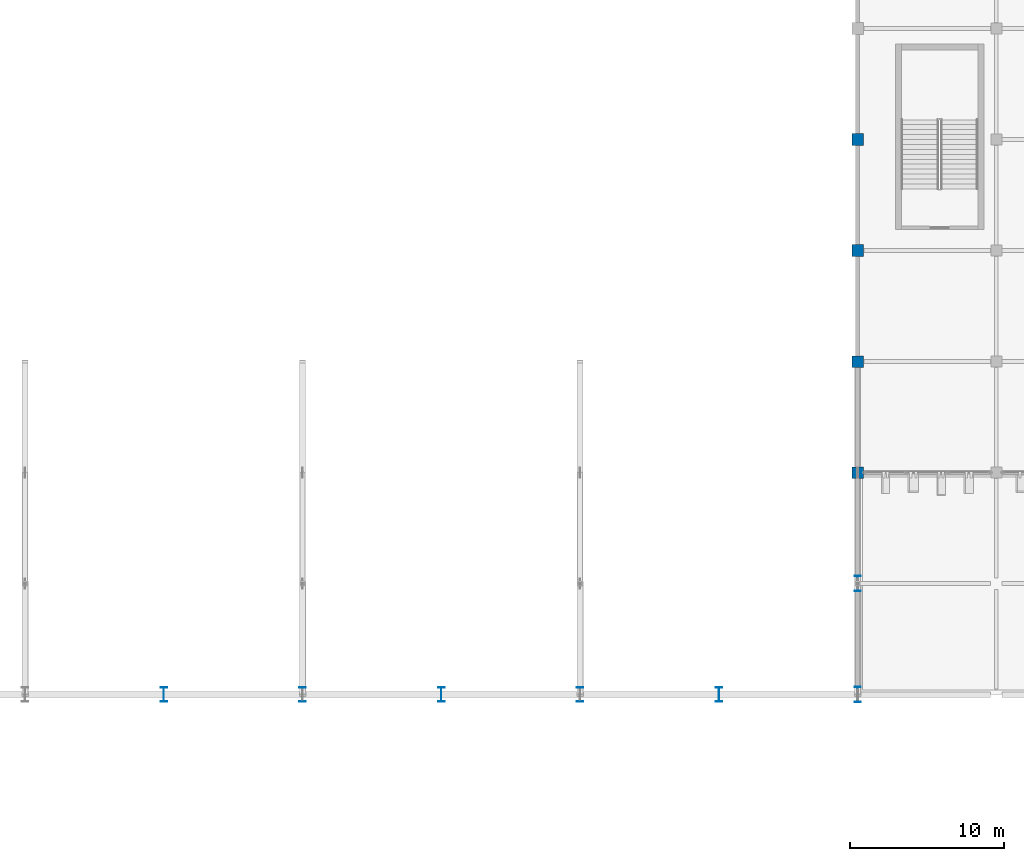
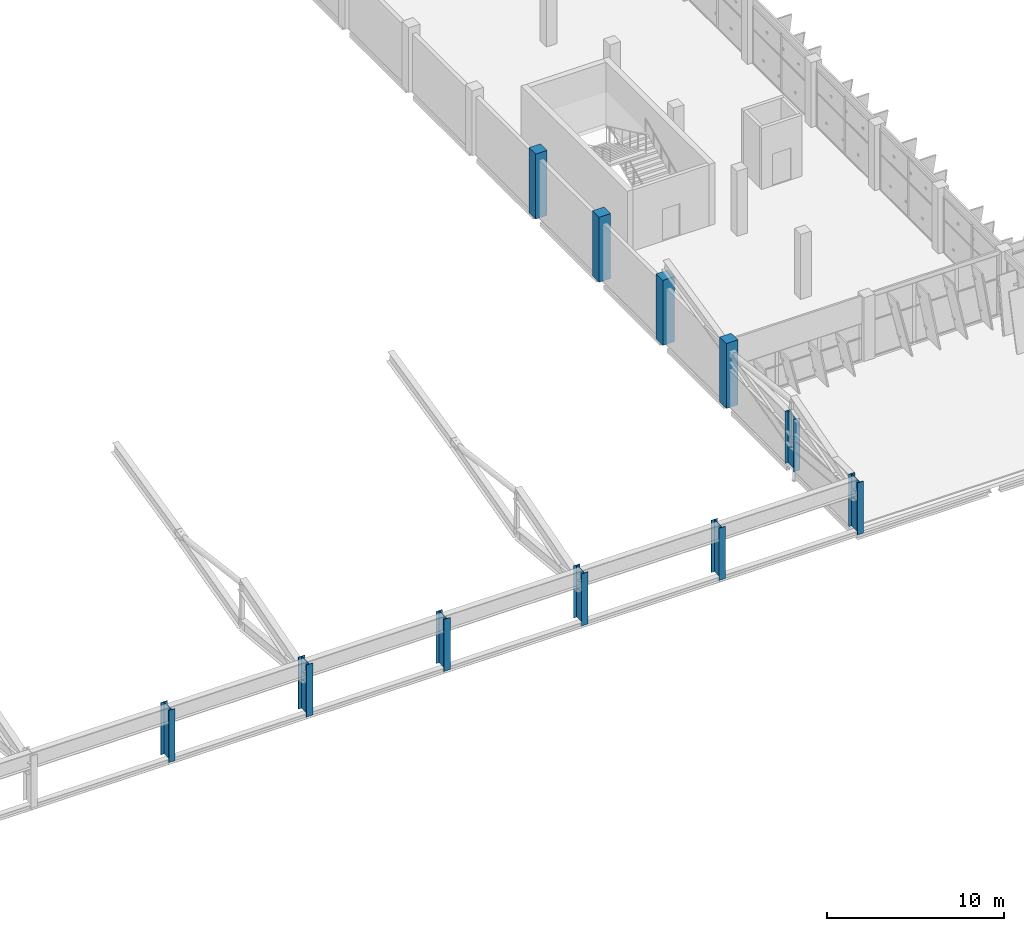
# One storey, part 2 of 151: 11 columns.
"""IFC4 building model written with IfcOpenShell, lengths in metres."""

import ifcopenshell
import ifcopenshell.guid

model = None  # the IFC model being written
_history = None  # IfcOwnerHistory: only IFC2X3 demands one
_inside = {}  # id of a spatial element -> (the spatial element, [elements in it])
_under = {}  # id of a project, library or spatial element -> (it, [spatial elements below it])
_declared = {}  # id of a project -> (the project, [libraries it declares])
_typed = {}  # id of a type object -> (the type object, [elements of that type])
_made_of = {}  # id of a material, layer set ... -> (it, [elements and type objects made of it])


def new_model(schema):
    """Start an empty IFC model of exactly this schema.

    Asked for "IFC4X3", IfcOpenShell would pick the latest addendum, in which some entities
    have other attributes; the version numbers below select the first issue.
    IFC2X3 requires an IfcOwnerHistory on every rooted entity: one is made here for all.
    """
    global model, _history
    if schema == "IFC4X3":
        model = ifcopenshell.file(schema_version=(4, 3, 0, 0))
    else:
        model = ifcopenshell.file(schema=schema)
    _inside.clear()
    _under.clear()
    _declared.clear()
    _typed.clear()
    _made_of.clear()
    _history = None
    if model.schema == "IFC2X3":
        org = make("IfcOrganization", Name="unknown")
        user = make(
            "IfcPersonAndOrganization",
            ThePerson=make("IfcPerson", FamilyName="unknown"),
            TheOrganization=org,
        )
        app = make(
            "IfcApplication",
            ApplicationDeveloper=org,
            Version="unknown",
            ApplicationFullName="unknown",
            ApplicationIdentifier="unknown",
        )
        _history = make(
            "IfcOwnerHistory",
            OwningUser=user,
            OwningApplication=app,
            ChangeAction="ADDED",
            CreationDate=0,
        )
    return model


def make(cls, **values):
    """One entity of the class cls with the attributes given. An attribute that is None is left unset."""
    return model.create_entity(
        cls, **{name: value for name, value in values.items() if value is not None}
    )


def rooted(cls, **values):
    """An entity with a GlobalId (a new one), such as an element, a storey or a relation."""
    return make(cls, GlobalId=ifcopenshell.guid.new(), OwnerHistory=_history, **values)


def si_unit(unit_type, name, prefix=None):
    """IfcSIUnit, for example si_unit("LENGTHUNIT", "METRE", prefix="MILLI")."""
    return make("IfcSIUnit", UnitType=unit_type, Prefix=prefix, Name=name)


def assignment(units):
    """IfcUnitAssignment: the units of a project."""
    return None if units is None else make("IfcUnitAssignment", Units=units)


def point(xyz):
    """IfcCartesianPoint."""
    return None if xyz is None else make("IfcCartesianPoint", Coordinates=xyz)


def direction(xyz):
    """IfcDirection."""
    return None if xyz is None else make("IfcDirection", DirectionRatios=xyz)


def frame(location, z_axis=None, x_axis=None):
    """IfcAxis2Placement3D, a coordinate frame: its origin and axes. An axis left out is left unset."""
    return make(
        "IfcAxis2Placement3D",
        Location=point(location),
        Axis=direction(z_axis),
        RefDirection=direction(x_axis),
    )


def frame_2d(location, x_axis=None):
    """IfcAxis2Placement2D, a coordinate frame in the plane: its origin and x axis."""
    return make(
        "IfcAxis2Placement2D", Location=point(location), RefDirection=direction(x_axis)
    )


def origin():
    """The frame at (0, 0, 0) with its axes left unset."""
    return frame((0.0, 0.0, 0.0))


def origin_2d():
    """The frame at (0, 0) in the plane with its x axis left unset."""
    return frame_2d((0.0, 0.0))


def place(relative_to, where):
    """IfcLocalPlacement: puts the frame where relative to a parent placement (None: the world)."""
    return make(
        "IfcLocalPlacement", PlacementRelTo=relative_to, RelativePlacement=where
    )


def context(
    kind, dimensions, precision=None, world=None, true_north=None, identifier=None
):
    """IfcGeometricRepresentationContext, for example the 3D "Model" context."""
    return make(
        "IfcGeometricRepresentationContext",
        ContextIdentifier=identifier,
        ContextType=kind,
        CoordinateSpaceDimension=dimensions,
        Precision=precision,
        WorldCoordinateSystem=world,
        TrueNorth=true_north,
    )


def subcontext(parent, identifier, kind, view, scale=None):
    """IfcGeometricRepresentationSubContext, for example "Body" below "Model"."""
    return make(
        "IfcGeometricRepresentationSubContext",
        ContextIdentifier=identifier,
        ContextType=kind,
        ParentContext=parent,
        TargetScale=scale,
        TargetView=view,
    )


def project(units=None, contexts=None):
    """IfcProject with its units and contexts."""
    return rooted(
        "IfcProject",
        Name="project",
        RepresentationContexts=contexts,
        UnitsInContext=assignment(units),
    )


def spatial(cls, under=None, at=None, **own):
    """A site, building, storey or space (cls), placed at a placement, below another one or the project."""
    s = rooted(cls, ObjectPlacement=at, **own)
    if under is not None:
        _under.setdefault(under.id(), (under, []))[1].append(s)
    return s


def profile(cls, at=None, kind="AREA", **sizes):
    """A parametric profile (cls). Its sizes go by their IFC names, for example OverallWidth=200.0."""
    return make(cls, ProfileType=kind, Position=at, **sizes)


def rectangle(**sizes):
    """IfcRectangleProfileDef."""
    return profile("IfcRectangleProfileDef", **sizes)


def i_section(**sizes):
    """IfcIShapeProfileDef."""
    return profile("IfcIShapeProfileDef", **sizes)


def extrude(swept, where, along, depth):
    """IfcExtrudedAreaSolid: the profile swept, set in the frame where, extruded along a direction by depth."""
    return make(
        "IfcExtrudedAreaSolid",
        SweptArea=swept,
        Position=where,
        ExtrudedDirection=direction(along),
        Depth=depth,
    )


def shape(context_of_items, identifier, shape_type, items):
    """IfcShapeRepresentation: the items that make up one representation, for example the "Body"."""
    return make(
        "IfcShapeRepresentation",
        ContextOfItems=context_of_items,
        RepresentationIdentifier=identifier,
        RepresentationType=shape_type,
        Items=items,
    )


def material(Name=None, Category=None):
    """IfcMaterial."""
    return make("IfcMaterial", Name=Name, Category=Category)


def material_profile(
    of_material, cross_section, Name=None, Category=None, Priority=None
):
    """IfcMaterialProfile: a cross section and its material."""
    return make(
        "IfcMaterialProfile",
        Name=Name,
        Material=of_material,
        Profile=cross_section,
        Priority=Priority,
        Category=Category,
    )


def profile_set(profiles, Name=None, composite=None):
    """IfcMaterialProfileSet."""
    return make(
        "IfcMaterialProfileSet",
        Name=Name,
        MaterialProfiles=profiles,
        CompositeProfile=composite,
    )


def made_of(thing, what):
    """Note that an element or type object is made of a material, layer set ...; save() writes the relation."""
    if what is not None:
        _made_of.setdefault(what.id(), (what, []))[1].append(thing)
    return thing


def type_object(cls, material=None, **own):
    """A type object (cls), such as IfcWallType, which elements share."""
    return made_of(rooted(cls, **own), material)


def element(
    cls,
    number,
    at=None,
    inside=None,
    cuts=None,
    type_object=None,
    material=None,
    context=None,
    identifier="Body",
    shape_type=None,
    held_by="IfcProductDefinitionShape",
    body=None,
    shapes=None,
    **own,
):
    """One element of the class cls, such as IfcWall. Its Tag is "e" and its number.

    at: its placement. inside: the storey or other place that contains it. cuts: it is an
    opening in that element (IfcRelVoidsElement). A single representation is given by context,
    identifier, shape_type and body (its items); several are given by shapes. held_by: the class
    of the entity that holds the representations. save() writes the other relations.
    """
    e = rooted(cls, Tag="e%d" % number, ObjectPlacement=at, **own)
    if body is not None:
        shapes = [shape(context, identifier, shape_type, body)]
    if shapes is not None:
        e.Representation = make(held_by, Representations=shapes)
    if inside is not None:
        _inside.setdefault(inside.id(), (inside, []))[1].append(e)
    if cuts is not None:
        rooted(
            "IfcRelVoidsElement", RelatingBuildingElement=cuts, RelatedOpeningElement=e
        )
    if type_object is not None:
        _typed.setdefault(type_object.id(), (type_object, []))[1].append(e)
    return made_of(e, material)


def aggregate(whole, parts):
    """IfcRelAggregates: a whole, such as a stair, and the parts it consists of."""
    return rooted("IfcRelAggregates", RelatingObject=whole, RelatedObjects=parts)


def save(model, path):
    """Write the relations noted so far, then the file.

    IfcRelAggregates (storeys below a building ...), IfcRelContainedInSpatialStructure (elements
    in a storey), IfcRelDefinesByType, IfcRelAssociatesMaterial and IfcRelDeclares: one each for
    every whole, place, type object, material and project.
    """
    for whole, parts in _under.values():
        aggregate(whole, parts)
    for where, things in _inside.values():
        rooted(
            "IfcRelContainedInSpatialStructure",
            RelatedElements=things,
            RelatingStructure=where,
        )
    for kind, things in _typed.values():
        rooted("IfcRelDefinesByType", RelatedObjects=things, RelatingType=kind)
    for what, things in _made_of.values():
        rooted("IfcRelAssociatesMaterial", RelatedObjects=things, RelatingMaterial=what)
    for by, libraries in _declared.values():
        rooted("IfcRelDeclares", RelatingContext=by, RelatedDefinitions=libraries)
    model.write(path)


model = new_model("IFC4")

# Units and contexts
model_context = context("Model", 3, precision=1e-05, world=origin(), true_north=direction((0.0, 1.0)))
body_context = subcontext(model_context, "Body", "Model", "MODEL_VIEW")
ifc_project = project(units=[si_unit("LENGTHUNIT", "METRE"), si_unit("AREAUNIT", "SQUARE_METRE"), si_unit("VOLUMEUNIT", "CUBIC_METRE"), si_unit("PLANEANGLEUNIT", "RADIAN"), si_unit("MASSUNIT", "GRAM", prefix="KILO")], contexts=[model_context])

# Site, building, storey
site_placement = place(None, origin())
site = spatial("IfcSite", under=ifc_project, at=site_placement, CompositionType="ELEMENT")
building_placement = place(site_placement, origin())
building = spatial("IfcBuilding", under=site, at=building_placement, Name="Celestram Park Convention Centre", CompositionType="ELEMENT")
storey_placement = place(building_placement, frame((0.0, 0.0, 10.800048828125)))
storey = spatial("IfcBuildingStorey", under=building, at=storey_placement, Name="L02", CompositionType="ELEMENT", Elevation=10.800048828125)

# Columns
ifc_material_1 = material(Name="Concrete C40/50", Category="concrete")
ifc_material_profile_1 = material_profile(ifc_material_1, rectangle(XDim=0.75, YDim=0.75, at=origin_2d()), Name="RC750X750")
ifc_profile_set_1 = profile_set([ifc_material_profile_1], Name="Concrete C40/50")
column_type_1 = type_object("IfcColumnType", Name="STR-COL-RC750", PredefinedType="COLUMN", material=ifc_profile_set_1)
for number, where, z_axis, x_axis, name in (
    (1, (126.0, 36.0, 0.0), (0.0, 0.0, 1.0), (1.0, 0.0, 0.0), "Column CN-L02-119"),
    (2, (126.0, 43.199951171875, 0.0), (0.0, 0.0, 1.0), (1.0, 0.0, 0.0), "Column CN-L02-120"),
    (3, (126.0, 50.39990234375, 0.0), (0.0, 0.0, 1.0), (1.0, 0.0, 0.0), "Column CN-L02-121"),
    (4, (126.0, 57.60009765625, 0.0), (0.0, 0.0, 1.0), (1.0, 0.0, 0.0), "Column CN-L02-122"),
):
    element("IfcColumn", number, at=place(storey_placement, frame(where, z_axis=z_axis, x_axis=x_axis)), inside=storey, type_object=column_type_1, Name=name, PredefinedType="COLUMN", context=body_context, shape_type="SweptSolid", body=[
        extrude(rectangle(XDim=0.75, YDim=0.75, at=origin_2d()), origin(), (0.0, 0.0, 1.0), 4.5),
    ])
ifc_material_2 = material(Name="Steel ASTM A992 Grade 50", Category="steel")
ifc_material_profile_2 = material_profile(ifc_material_2, i_section(OverallWidth=0.4189453125, OverallDepth=0.927001953125, WebThickness=0.019287109375, FlangeThickness=0.031982421875, at=origin_2d()), Name="W36X231")
ifc_profile_set_2 = profile_set([ifc_material_profile_2], Name="Steel ASTM A992 Grade 50")
column_type_2 = type_object("IfcColumnType", Name="STR-COL-W36X231", PredefinedType="COLUMN", material=ifc_profile_set_2)
for number, where, z_axis, x_axis, name in (
    (5, (81.0, 21.60009765625, 0.0), (0.0, 0.0, 1.0), (1.0, 0.0, 0.0), "Column CN-L02-067"),
    (6, (90.0, 21.60009765625, 0.0), (0.0, 0.0, 1.0), (1.0, 0.0, 0.0), "Column CN-L02-077"),
    (7, (99.0, 21.60009765625, 0.0), (0.0, 0.0, 1.0), (1.0, 0.0, 0.0), "Column CN-L02-087"),
    (8, (108.0, 21.60009765625, 0.0), (0.0, 0.0, 1.0), (1.0, 0.0, 0.0), "Column CN-L02-097"),
    (9, (117.0, 21.60009765625, 0.0), (0.0, 0.0, 1.0), (1.0, 0.0, 0.0), "Column CN-L02-107"),
):
    element("IfcColumn", number, at=place(storey_placement, frame(where, z_axis=z_axis, x_axis=x_axis)), inside=storey, type_object=column_type_2, Name=name, PredefinedType="COLUMN", context=body_context, shape_type="SweptSolid", body=[
        extrude(i_section(OverallWidth=0.4189453125, OverallDepth=0.927001953125, WebThickness=0.019287109375, FlangeThickness=0.031982421875, at=origin_2d()), origin(), (0.0, 0.0, 1.0), 3.599853515625),
    ])
ifc_material_profile_3 = material_profile(ifc_material_2, i_section(OverallWidth=0.40087890625, OverallDepth=1.010986328125, WebThickness=0.023681640625, FlangeThickness=0.0419921875, at=origin_2d()), Name="W40X297")
ifc_profile_set_3 = profile_set([ifc_material_profile_3], Name="Steel ASTM A992 Grade 50")
column_type_3 = type_object("IfcColumnType", Name="STR-COL-W40X297", PredefinedType="COLUMN", material=ifc_profile_set_3)
for number, where, z_axis, x_axis, name in (
    (10, (126.0, 21.60009765625, 0.0), (0.0, 0.0, 1.0), (1.0, 0.0, 0.0), "Column CN-L02-117"),
    (11, (126.0, 28.800048828125, 0.0), (0.0, 0.0, 1.0), (1.0, 0.0, 0.0), "Column CN-L02-118"),
):
    element("IfcColumn", number, at=place(storey_placement, frame(where, z_axis=z_axis, x_axis=x_axis)), inside=storey, type_object=column_type_3, Name=name, PredefinedType="COLUMN", context=body_context, shape_type="SweptSolid", body=[
        extrude(i_section(OverallWidth=0.40087890625, OverallDepth=1.010986328125, WebThickness=0.023681640625, FlangeThickness=0.0419921875, at=origin_2d()), origin(), (0.0, 0.0, 1.0), 3.599853515625),
    ])

save(model, "model.ifc")
